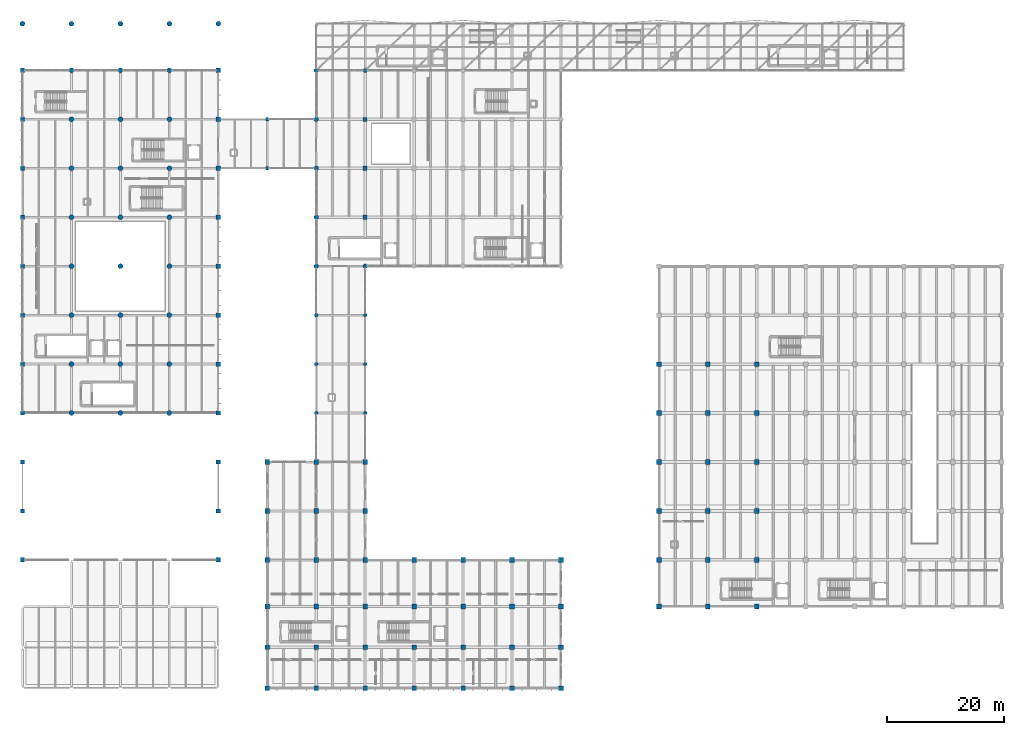
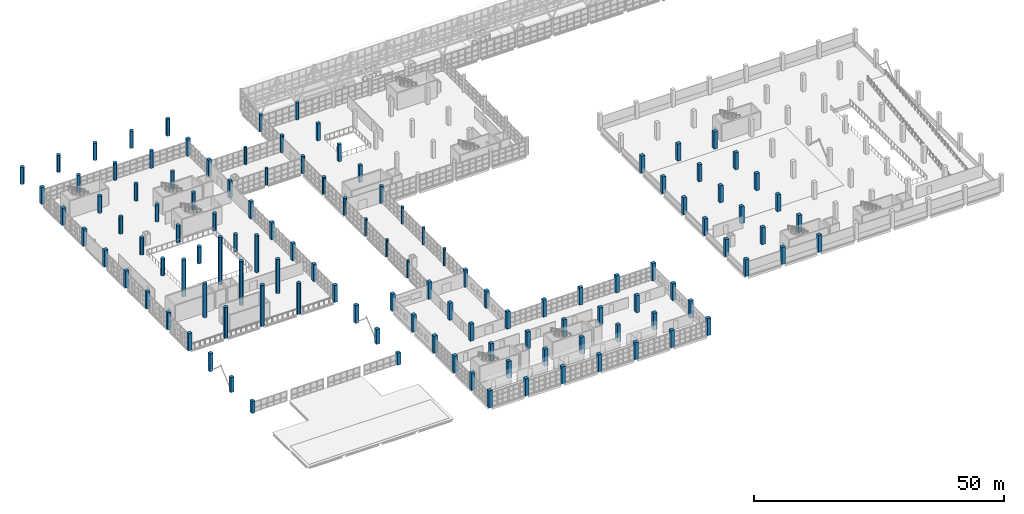
# One storey, part 1 of 177: 121 columns.
"""IFC4 building model written with IfcOpenShell, lengths in metres."""

from ifc_helpers import new_model, si_unit, direction, frame, origin, origin_2d, place, context, subcontext, project, spatial, rectangle, circle, extrude, material, material_profile, profile_set, type_object, element, save


model = new_model("IFC4")

# Units and contexts
model_context = context("Model", 3, precision=1e-05, world=origin(), true_north=direction((0.0, 1.0)))
body_context = subcontext(model_context, "Body", "Model", "MODEL_VIEW")
ifc_project = project(units=[si_unit("LENGTHUNIT", "METRE"), si_unit("AREAUNIT", "SQUARE_METRE"), si_unit("VOLUMEUNIT", "CUBIC_METRE"), si_unit("PLANEANGLEUNIT", "RADIAN"), si_unit("MASSUNIT", "GRAM", prefix="KILO"), si_unit("THERMODYNAMICTEMPERATUREUNIT", "KELVIN"), si_unit("POWERUNIT", "WATT")], contexts=[model_context])

# Site, building, storey
site_placement = place(None, origin())
site = spatial("IfcSite", under=ifc_project, at=site_placement, CompositionType="ELEMENT")
building_placement = place(site_placement, origin())
building = spatial("IfcBuilding", under=site, at=building_placement, Name="Mavoryth Pier Ferry Terminal", CompositionType="ELEMENT")
storey_placement = place(building_placement, frame((0.0, 0.0, 5.43994140625)))
storey = spatial("IfcBuildingStorey", under=building, at=storey_placement, Name="L01", CompositionType="ELEMENT", Elevation=5.43994140625)

# Columns
ifc_material = material(Name="Concrete C40/50", Category="concrete")
ifc_material_profile_1 = material_profile(ifc_material, circle(Radius=0.324951171875, at=origin_2d()), Name="RC D650", Category="concrete")
ifc_profile_set_1 = profile_set([ifc_material_profile_1], Name="Concrete C40/50 - RC D650")
column_type_1 = type_object("IfcColumnType", Name="Col-Pilotis-D650", PredefinedType="COLUMN", material=ifc_profile_set_1)
for number, where, z_axis, x_axis, name in (
    (1, (42.0, 89.199951171875, 0.0), (0.0, 0.0, 1.0), (1.0, 0.0, 0.0), "Column C01-CC01-018"),
    (2, (42.0, 97.60009765625, 0.0), (0.0, 0.0, 1.0), (1.0, 0.0, 0.0), "Column C01-CC01-020"),
    (3, (50.39990234375, 47.199951171875, 0.0), (0.0, 0.0, 1.0), (1.0, 0.0, 0.0), "Column C01-CC01-022"),
    (4, (50.39990234375, 55.60009765625, 0.0), (0.0, 0.0, 1.0), (1.0, 0.0, 0.0), "Column C01-CC01-024"),
    (5, (50.39990234375, 64.0, 0.0), (0.0, 0.0, 1.0), (1.0, 0.0, 0.0), "Column C01-CC01-026"),
    (6, (58.800048828125, 47.199951171875, 0.0), (0.0, 0.0, 1.0), (1.0, 0.0, 0.0), "Column C01-CC01-028"),
    (7, (58.800048828125, 55.60009765625, 0.0), (0.0, 0.0, 1.0), (1.0, 0.0, 0.0), "Column C01-CC01-030"),
    (8, (58.800048828125, 64.0, 0.0), (0.0, 0.0, 1.0), (1.0, 0.0, 0.0), "Column C01-CC01-032"),
):
    element("IfcColumn", number, at=place(storey_placement, frame(where, z_axis=z_axis, x_axis=x_axis)), inside=storey, type_object=column_type_1, Name=name, PredefinedType="COLUMN", context=body_context, shape_type="SweptSolid", body=[
        extrude(circle(Radius=0.324951171875, at=origin_2d()), origin(), (0.0, 0.0, 1.0), 4.16015625),
    ])
ifc_material_profile_2 = material_profile(ifc_material, circle(Radius=0.389892578125, at=origin_2d()), Name="RC D780", Category="concrete")
ifc_profile_set_2 = profile_set([ifc_material_profile_2], Name="Concrete C40/50 - RC D780")
column_type_2 = type_object("IfcColumnType", Name="Col-Pilotis-D780", PredefinedType="COLUMN", material=ifc_profile_set_2)
for number, where, z_axis, x_axis, name in (
    (9, (50.39990234375, 72.39990234375, 0.0), (0.0, 0.0, 1.0), (1.0, 0.0, 0.0), "Column C01-CC03-210"),
    (10, (50.39990234375, 80.800048828125, 0.0), (0.0, 0.0, 1.0), (1.0, 0.0, 0.0), "Column C01-CC03-211"),
    (11, (50.39990234375, 89.199951171875, 0.0), (0.0, 0.0, 1.0), (1.0, 0.0, 0.0), "Column C01-CC03-212"),
    (12, (50.39990234375, 97.60009765625, 0.0), (0.0, 0.0, 1.0), (1.0, 0.0, 0.0), "Column C01-CC03-213"),
    (13, (50.39990234375, 106.0, 0.0), (0.0, 0.0, 1.0), (1.0, 0.0, 0.0), "Column C01-CC03-214"),
    (14, (58.800048828125, 72.39990234375, 0.0), (0.0, 0.0, 1.0), (1.0, 0.0, 0.0), "Column C01-CC03-215"),
    (15, (58.800048828125, 106.0, 0.0), (0.0, 0.0, 1.0), (1.0, 0.0, 0.0), "Column C01-CC03-219"),
):
    element("IfcColumn", number, at=place(storey_placement, frame(where, z_axis=z_axis, x_axis=x_axis)), inside=storey, type_object=column_type_2, Name=name, PredefinedType="COLUMN", context=body_context, shape_type="SweptSolid", body=[
        extrude(circle(Radius=0.389892578125, at=origin_2d()), origin(), (0.0, 0.0, 1.0), 4.16015625),
    ])
ifc_material_profile_3 = material_profile(ifc_material, circle(Radius=0.425048828125, at=origin_2d()), Name="RC D850", Category="concrete")
ifc_profile_set_3 = profile_set([ifc_material_profile_3], Name="Concrete C40/50 - RC D850")
column_type_3 = type_object("IfcColumnType", Name="Col-Pilotis-D850", PredefinedType="COLUMN", material=ifc_profile_set_3)
column_1_placement = place(storey_placement, frame((0.0, 114.0, 0.0), z_axis=(0.0, 0.0, 1.0), x_axis=(1.0, 0.0, 0.0)))
element("IfcColumn", 16, at=column_1_placement, inside=storey, type_object=column_type_3, Name="Column C01-CC04-104", PredefinedType="COLUMN", context=body_context, shape_type="SweptSolid", body=[
    extrude(circle(Radius=0.425048828125, at=origin_2d()), origin(), (0.0, 0.0, 1.0), 4.16015625),
])
column_2_placement = place(storey_placement, frame((8.39990234375, 47.199951171875, 0.0), z_axis=(0.0, 0.0, 1.0), x_axis=(1.0, 0.0, 0.0)))
element("IfcColumn", 17, at=column_2_placement, inside=storey, type_object=column_type_3, Name="Column C01-CC04-105", PredefinedType="COLUMN", context=body_context, shape_type="SweptSolid", body=[
    extrude(circle(Radius=0.425048828125, at=origin_2d()), origin(), (0.0, 0.0, 1.0), 7.581787109375),
])
column_3_placement = place(storey_placement, frame((8.39990234375, 55.60009765625, 0.0), z_axis=(0.0, 0.0, 1.0), x_axis=(1.0, 0.0, 0.0)))
element("IfcColumn", 18, at=column_3_placement, inside=storey, type_object=column_type_3, Name="Column C01-CC04-106", PredefinedType="COLUMN", context=body_context, shape_type="SweptSolid", body=[
    extrude(circle(Radius=0.425048828125, at=origin_2d()), origin(), (0.0, 0.0, 1.0), 8.296142578125),
])
column_4_placement = place(storey_placement, frame((8.39990234375, 64.0, 0.0), z_axis=(0.0, 0.0, 1.0), x_axis=(1.0, 0.0, 0.0)))
element("IfcColumn", 19, at=column_4_placement, inside=storey, type_object=column_type_3, Name="Column C01-CC04-107", PredefinedType="COLUMN", context=body_context, shape_type="SweptSolid", body=[
    extrude(circle(Radius=0.425048828125, at=origin_2d()), origin(), (0.0, 0.0, 1.0), 9.010498046875),
])
for number, where, z_axis, x_axis, name in (
    (20, (8.39990234375, 72.39990234375, 0.0), (0.0, 0.0, 1.0), (1.0, 0.0, 0.0), "Column C01-CC04-108"),
    (21, (8.39990234375, 80.800048828125, 0.0), (0.0, 0.0, 1.0), (1.0, 0.0, 0.0), "Column C01-CC04-109"),
    (22, (8.39990234375, 89.199951171875, 0.0), (0.0, 0.0, 1.0), (1.0, 0.0, 0.0), "Column C01-CC04-110"),
    (23, (8.39990234375, 97.60009765625, 0.0), (0.0, 0.0, 1.0), (1.0, 0.0, 0.0), "Column C01-CC04-111"),
    (24, (8.39990234375, 106.0, 0.0), (0.0, 0.0, 1.0), (1.0, 0.0, 0.0), "Column C01-CC04-112"),
    (25, (8.39990234375, 114.0, 0.0), (0.0, 0.0, 1.0), (1.0, 0.0, 0.0), "Column C01-CC04-113"),
):
    element("IfcColumn", number, at=place(storey_placement, frame(where, z_axis=z_axis, x_axis=x_axis)), inside=storey, type_object=column_type_3, Name=name, PredefinedType="COLUMN", context=body_context, shape_type="SweptSolid", body=[
        extrude(circle(Radius=0.425048828125, at=origin_2d()), origin(), (0.0, 0.0, 1.0), 4.16015625),
    ])
column_5_placement = place(storey_placement, frame((16.800048828125, 47.199951171875, 0.0), z_axis=(0.0, 0.0, 1.0), x_axis=(1.0, 0.0, 0.0)))
element("IfcColumn", 26, at=column_5_placement, inside=storey, type_object=column_type_3, Name="Column C01-CC04-114", PredefinedType="COLUMN", context=body_context, shape_type="SweptSolid", body=[
    extrude(circle(Radius=0.425048828125, at=origin_2d()), origin(), (0.0, 0.0, 1.0), 10.06005859375),
])
column_6_placement = place(storey_placement, frame((16.800048828125, 55.60009765625, 0.0), z_axis=(0.0, 0.0, 1.0), x_axis=(1.0, 0.0, 0.0)))
element("IfcColumn", 27, at=column_6_placement, inside=storey, type_object=column_type_3, Name="Column C01-CC04-115", PredefinedType="COLUMN", context=body_context, shape_type="SweptSolid", body=[
    extrude(circle(Radius=0.425048828125, at=origin_2d()), origin(), (0.0, 0.0, 1.0), 10.7744140625),
])
column_7_placement = place(storey_placement, frame((16.800048828125, 64.0, 0.0), z_axis=(0.0, 0.0, 1.0), x_axis=(1.0, 0.0, 0.0)))
element("IfcColumn", 28, at=column_7_placement, inside=storey, type_object=column_type_3, Name="Column C01-CC04-116", PredefinedType="COLUMN", context=body_context, shape_type="SweptSolid", body=[
    extrude(circle(Radius=0.425048828125, at=origin_2d()), origin(), (0.0, 0.0, 1.0), 11.48876953125),
])
for number, where, z_axis, x_axis, name in (
    (29, (16.800048828125, 72.39990234375, 0.0), (0.0, 0.0, 1.0), (1.0, 0.0, 0.0), "Column C01-CC04-117"),
    (30, (16.800048828125, 80.800048828125, 0.0), (0.0, 0.0, 1.0), (1.0, 0.0, 0.0), "Column C01-CC04-118"),
    (31, (16.800048828125, 89.199951171875, 0.0), (0.0, 0.0, 1.0), (1.0, 0.0, 0.0), "Column C01-CC04-119"),
    (32, (16.800048828125, 97.60009765625, 0.0), (0.0, 0.0, 1.0), (1.0, 0.0, 0.0), "Column C01-CC04-120"),
    (33, (16.800048828125, 106.0, 0.0), (0.0, 0.0, 1.0), (1.0, 0.0, 0.0), "Column C01-CC04-121"),
    (34, (16.800048828125, 114.0, 0.0), (0.0, 0.0, 1.0), (1.0, 0.0, 0.0), "Column C01-CC04-122"),
):
    element("IfcColumn", number, at=place(storey_placement, frame(where, z_axis=z_axis, x_axis=x_axis)), inside=storey, type_object=column_type_3, Name=name, PredefinedType="COLUMN", context=body_context, shape_type="SweptSolid", body=[
        extrude(circle(Radius=0.425048828125, at=origin_2d()), origin(), (0.0, 0.0, 1.0), 4.16015625),
    ])
column_8_placement = place(storey_placement, frame((25.199951171875, 47.199951171875, 0.0), z_axis=(0.0, 0.0, 1.0), x_axis=(1.0, 0.0, 0.0)))
element("IfcColumn", 35, at=column_8_placement, inside=storey, type_object=column_type_3, Name="Column C01-CC04-123", PredefinedType="COLUMN", context=body_context, shape_type="SweptSolid", body=[
    extrude(circle(Radius=0.425048828125, at=origin_2d()), origin(), (0.0, 0.0, 1.0), 7.581787109375),
])
column_9_placement = place(storey_placement, frame((25.199951171875, 55.60009765625, 0.0), z_axis=(0.0, 0.0, 1.0), x_axis=(1.0, 0.0, 0.0)))
element("IfcColumn", 36, at=column_9_placement, inside=storey, type_object=column_type_3, Name="Column C01-CC04-124", PredefinedType="COLUMN", context=body_context, shape_type="SweptSolid", body=[
    extrude(circle(Radius=0.425048828125, at=origin_2d()), origin(), (0.0, 0.0, 1.0), 8.296142578125),
])
column_10_placement = place(storey_placement, frame((25.199951171875, 64.0, 0.0), z_axis=(0.0, 0.0, 1.0), x_axis=(1.0, 0.0, 0.0)))
element("IfcColumn", 37, at=column_10_placement, inside=storey, type_object=column_type_3, Name="Column C01-CC04-125", PredefinedType="COLUMN", context=body_context, shape_type="SweptSolid", body=[
    extrude(circle(Radius=0.425048828125, at=origin_2d()), origin(), (0.0, 0.0, 1.0), 9.010498046875),
])
for number, where, z_axis, x_axis, name in (
    (38, (25.199951171875, 72.39990234375, 0.0), (0.0, 0.0, 1.0), (1.0, 0.0, 0.0), "Column C01-CC04-126"),
    (39, (25.199951171875, 80.800048828125, 0.0), (0.0, 0.0, 1.0), (1.0, 0.0, 0.0), "Column C01-CC04-127"),
    (40, (25.199951171875, 89.199951171875, 0.0), (0.0, 0.0, 1.0), (1.0, 0.0, 0.0), "Column C01-CC04-128"),
    (41, (25.199951171875, 97.60009765625, 0.0), (0.0, 0.0, 1.0), (1.0, 0.0, 0.0), "Column C01-CC04-129"),
    (42, (25.199951171875, 106.0, 0.0), (0.0, 0.0, 1.0), (1.0, 0.0, 0.0), "Column C01-CC04-130"),
    (43, (25.199951171875, 114.0, 0.0), (0.0, 0.0, 1.0), (1.0, 0.0, 0.0), "Column C01-CC04-131"),
    (44, (33.60009765625, 114.0, 0.0), (0.0, 0.0, 1.0), (1.0, 0.0, 0.0), "Column C01-CC04-143"),
):
    element("IfcColumn", number, at=place(storey_placement, frame(where, z_axis=z_axis, x_axis=x_axis)), inside=storey, type_object=column_type_3, Name=name, PredefinedType="COLUMN", context=body_context, shape_type="SweptSolid", body=[
        extrude(circle(Radius=0.425048828125, at=origin_2d()), origin(), (0.0, 0.0, 1.0), 4.16015625),
    ])
ifc_material_profile_4 = material_profile(ifc_material, rectangle(XDim=0.699951171875, YDim=0.699951171875, at=origin_2d()), Name="RC 700x700", Category="concrete")
ifc_profile_set_4 = profile_set([ifc_material_profile_4], Name="Concrete C40/50 - RC 700x700")
column_type_4 = type_object("IfcColumnType", Name="Col-RC-700x700", PredefinedType="COLUMN", material=ifc_profile_set_4)
for number, where, z_axis, x_axis, name in (
    (45, (58.800048828125, 80.800048828125, 0.0), (0.0, 0.0, 1.0), (1.0, 0.0, 0.0), "Column C01-CC09-216"),
    (46, (58.800048828125, 89.199951171875, 0.0), (0.0, 0.0, 1.0), (1.0, 0.0, 0.0), "Column C01-CC09-217"),
    (47, (58.800048828125, 97.60009765625, 0.0), (0.0, 0.0, 1.0), (1.0, 0.0, 0.0), "Column C01-CC09-218"),
):
    element("IfcColumn", number, at=place(storey_placement, frame(where, z_axis=z_axis, x_axis=x_axis)), inside=storey, type_object=column_type_4, Name=name, PredefinedType="COLUMN", context=body_context, shape_type="SweptSolid", body=[
        extrude(rectangle(XDim=0.699951171875, YDim=0.699951171875, at=origin_2d()), origin(), (0.0, 0.0, 1.0), 4.16015625),
    ])
ifc_material_profile_5 = material_profile(ifc_material, rectangle(XDim=0.75, YDim=0.75, at=origin_2d()), Name="RC 750x750", Category="concrete")
ifc_profile_set_5 = profile_set([ifc_material_profile_5], Name="Concrete C40/50 - RC 750x750")
column_type_5 = type_object("IfcColumnType", Name="Col-RC-750x750", PredefinedType="COLUMN", material=ifc_profile_set_5)
column_11_placement = place(storey_placement, frame((0.0, 22.0, 0.0), z_axis=(0.0, 0.0, 1.0), x_axis=(1.0, 0.0, 0.0)))
element("IfcColumn", 48, at=column_11_placement, inside=storey, type_object=column_type_5, Name="Column C01-CC10-093", PredefinedType="COLUMN", context=body_context, shape_type="SweptSolid", body=[
    extrude(rectangle(XDim=0.75, YDim=0.75, at=origin_2d()), origin(), (0.0, 0.0, 1.0), 2.940673828125),
])
column_12_placement = place(storey_placement, frame((0.0, 30.39990234375, 0.0), z_axis=(0.0, 0.0, 1.0), x_axis=(1.0, 0.0, 0.0)))
element("IfcColumn", 49, at=column_12_placement, inside=storey, type_object=column_type_5, Name="Column C01-CC10-094", PredefinedType="COLUMN", context=body_context, shape_type="SweptSolid", body=[
    extrude(rectangle(XDim=0.75, YDim=0.75, at=origin_2d()), origin(), (0.0, 0.0, 1.0), 3.655029296875),
])
column_13_placement = place(storey_placement, frame((0.0, 38.800048828125, 0.0), z_axis=(0.0, 0.0, 1.0), x_axis=(1.0, 0.0, 0.0)))
element("IfcColumn", 50, at=column_13_placement, inside=storey, type_object=column_type_5, Name="Column C01-CC10-095", PredefinedType="COLUMN", context=body_context, shape_type="SweptSolid", body=[
    extrude(rectangle(XDim=0.75, YDim=0.75, at=origin_2d()), origin(), (0.0, 0.0, 1.0), 4.369140625),
])
for number, where, z_axis, x_axis, name in (
    (51, (0.0, 47.199951171875, 0.0), (0.0, 0.0, 1.0), (1.0, 0.0, 0.0), "Column C01-CC10-096"),
    (52, (0.0, 55.60009765625, 0.0), (0.0, 0.0, 1.0), (1.0, 0.0, 0.0), "Column C01-CC10-097"),
    (53, (0.0, 64.0, 0.0), (0.0, 0.0, 1.0), (1.0, 0.0, 0.0), "Column C01-CC10-098"),
    (54, (0.0, 72.39990234375, 0.0), (0.0, 0.0, 1.0), (1.0, 0.0, 0.0), "Column C01-CC10-099"),
    (55, (0.0, 80.800048828125, 0.0), (0.0, 0.0, 1.0), (1.0, 0.0, 0.0), "Column C01-CC10-100"),
    (56, (0.0, 89.199951171875, 0.0), (0.0, 0.0, 1.0), (1.0, 0.0, 0.0), "Column C01-CC10-101"),
    (57, (0.0, 97.60009765625, 0.0), (0.0, 0.0, 1.0), (1.0, 0.0, 0.0), "Column C01-CC10-102"),
    (58, (0.0, 106.0, 0.0), (0.0, 0.0, 1.0), (1.0, 0.0, 0.0), "Column C01-CC10-103"),
):
    element("IfcColumn", number, at=place(storey_placement, frame(where, z_axis=z_axis, x_axis=x_axis)), inside=storey, type_object=column_type_5, Name=name, PredefinedType="COLUMN", context=body_context, shape_type="SweptSolid", body=[
        extrude(rectangle(XDim=0.75, YDim=0.75, at=origin_2d()), origin(), (0.0, 0.0, 1.0), 4.16015625),
    ])
column_14_placement = place(storey_placement, frame((33.60009765625, 22.0, 0.0), z_axis=(0.0, 0.0, 1.0), x_axis=(1.0, 0.0, 0.0)))
element("IfcColumn", 59, at=column_14_placement, inside=storey, type_object=column_type_5, Name="Column C01-CC10-132", PredefinedType="COLUMN", context=body_context, shape_type="SweptSolid", body=[
    extrude(rectangle(XDim=0.75, YDim=0.75, at=origin_2d()), origin(), (0.0, 0.0, 1.0), 2.940673828125),
])
column_15_placement = place(storey_placement, frame((33.60009765625, 30.39990234375, 0.0), z_axis=(0.0, 0.0, 1.0), x_axis=(1.0, 0.0, 0.0)))
element("IfcColumn", 60, at=column_15_placement, inside=storey, type_object=column_type_5, Name="Column C01-CC10-133", PredefinedType="COLUMN", context=body_context, shape_type="SweptSolid", body=[
    extrude(rectangle(XDim=0.75, YDim=0.75, at=origin_2d()), origin(), (0.0, 0.0, 1.0), 3.655029296875),
])
column_16_placement = place(storey_placement, frame((33.60009765625, 38.800048828125, 0.0), z_axis=(0.0, 0.0, 1.0), x_axis=(1.0, 0.0, 0.0)))
element("IfcColumn", 61, at=column_16_placement, inside=storey, type_object=column_type_5, Name="Column C01-CC10-134", PredefinedType="COLUMN", context=body_context, shape_type="SweptSolid", body=[
    extrude(rectangle(XDim=0.75, YDim=0.75, at=origin_2d()), origin(), (0.0, 0.0, 1.0), 4.369140625),
])
for number, where, z_axis, x_axis, name in (
    (62, (33.60009765625, 47.199951171875, 0.0), (0.0, 0.0, 1.0), (1.0, 0.0, 0.0), "Column C01-CC10-135"),
    (63, (33.60009765625, 55.60009765625, 0.0), (0.0, 0.0, 1.0), (1.0, 0.0, 0.0), "Column C01-CC10-136"),
    (64, (33.60009765625, 64.0, 0.0), (0.0, 0.0, 1.0), (1.0, 0.0, 0.0), "Column C01-CC10-137"),
    (65, (33.60009765625, 72.39990234375, 0.0), (0.0, 0.0, 1.0), (1.0, 0.0, 0.0), "Column C01-CC10-138"),
    (66, (33.60009765625, 80.800048828125, 0.0), (0.0, 0.0, 1.0), (1.0, 0.0, 0.0), "Column C01-CC10-139"),
    (67, (33.60009765625, 89.199951171875, 0.0), (0.0, 0.0, 1.0), (1.0, 0.0, 0.0), "Column C01-CC10-140"),
    (68, (33.60009765625, 97.60009765625, 0.0), (0.0, 0.0, 1.0), (1.0, 0.0, 0.0), "Column C01-CC10-141"),
    (69, (33.60009765625, 106.0, 0.0), (0.0, 0.0, 1.0), (1.0, 0.0, 0.0), "Column C01-CC10-142"),
):
    element("IfcColumn", number, at=place(storey_placement, frame(where, z_axis=z_axis, x_axis=x_axis)), inside=storey, type_object=column_type_5, Name=name, PredefinedType="COLUMN", context=body_context, shape_type="SweptSolid", body=[
        extrude(rectangle(XDim=0.75, YDim=0.75, at=origin_2d()), origin(), (0.0, 0.0, 1.0), 4.16015625),
    ])
ifc_material_profile_6 = material_profile(ifc_material, rectangle(XDim=0.800048828125, YDim=0.800048828125, at=origin_2d()), Name="RC 800x800", Category="concrete")
ifc_profile_set_6 = profile_set([ifc_material_profile_6], Name="Concrete C40/50 - RC 800x800")
column_type_6 = type_object("IfcColumnType", Name="Col-RC-800x800", PredefinedType="COLUMN", material=ifc_profile_set_6)
for number, where, z_axis, x_axis, name in (
    (70, (109.199951171875, 14.0, 0.0), (0.0, 0.0, 1.0), (1.0, 0.0, 0.0), "Column C01-CC11-363"),
    (71, (109.199951171875, 22.0, 0.0), (0.0, 0.0, 1.0), (1.0, 0.0, 0.0), "Column C01-CC11-364"),
    (72, (109.199951171875, 30.39990234375, 0.0), (0.0, 0.0, 1.0), (1.0, 0.0, 0.0), "Column C01-CC11-365"),
    (73, (109.199951171875, 38.800048828125, 0.0), (0.0, 0.0, 1.0), (1.0, 0.0, 0.0), "Column C01-CC11-366"),
    (74, (109.199951171875, 47.199951171875, 0.0), (0.0, 0.0, 1.0), (1.0, 0.0, 0.0), "Column C01-CC11-367"),
    (75, (109.199951171875, 55.60009765625, 0.0), (0.0, 0.0, 1.0), (1.0, 0.0, 0.0), "Column C01-CC11-368"),
    (76, (117.60009765625, 14.0, 0.0), (0.0, 0.0, 1.0), (1.0, 0.0, 0.0), "Column C01-CC11-371"),
    (77, (117.60009765625, 22.0, 0.0), (0.0, 0.0, 1.0), (1.0, 0.0, 0.0), "Column C01-CC11-372"),
    (78, (117.60009765625, 30.39990234375, 0.0), (0.0, 0.0, 1.0), (1.0, 0.0, 0.0), "Column C01-CC11-373"),
    (79, (117.60009765625, 38.800048828125, 0.0), (0.0, 0.0, 1.0), (1.0, 0.0, 0.0), "Column C01-CC11-374"),
    (80, (117.60009765625, 47.199951171875, 0.0), (0.0, 0.0, 1.0), (1.0, 0.0, 0.0), "Column C01-CC11-375"),
    (81, (117.60009765625, 55.60009765625, 0.0), (0.0, 0.0, 1.0), (1.0, 0.0, 0.0), "Column C01-CC11-376"),
    (82, (126.0, 14.0, 0.0), (0.0, 0.0, 1.0), (1.0, 0.0, 0.0), "Column C01-CC11-379"),
    (83, (126.0, 22.0, 0.0), (0.0, 0.0, 1.0), (1.0, 0.0, 0.0), "Column C01-CC11-380"),
    (84, (126.0, 30.39990234375, 0.0), (0.0, 0.0, 1.0), (1.0, 0.0, 0.0), "Column C01-CC11-381"),
    (85, (126.0, 38.800048828125, 0.0), (0.0, 0.0, 1.0), (1.0, 0.0, 0.0), "Column C01-CC11-382"),
    (86, (126.0, 47.199951171875, 0.0), (0.0, 0.0, 1.0), (1.0, 0.0, 0.0), "Column C01-CC11-383"),
    (87, (126.0, 55.60009765625, 0.0), (0.0, 0.0, 1.0), (1.0, 0.0, 0.0), "Column C01-CC11-384"),
    (88, (42.0, 0.0, 0.0), (0.0, 0.0, 1.0), (1.0, 0.0, 0.0), "Column C01-CC11-559"),
    (89, (42.0, 7.0, 0.0), (0.0, 0.0, 1.0), (1.0, 0.0, 0.0), "Column C01-CC11-560"),
    (90, (42.0, 14.0, 0.0), (0.0, 0.0, 1.0), (1.0, 0.0, 0.0), "Column C01-CC11-561"),
    (91, (42.0, 22.0, 0.0), (0.0, 0.0, 1.0), (1.0, 0.0, 0.0), "Column C01-CC11-562"),
    (92, (50.39990234375, 0.0, 0.0), (0.0, 0.0, 1.0), (1.0, 0.0, 0.0), "Column C01-CC11-563"),
    (93, (50.39990234375, 7.0, 0.0), (0.0, 0.0, 1.0), (1.0, 0.0, 0.0), "Column C01-CC11-564"),
    (94, (50.39990234375, 14.0, 0.0), (0.0, 0.0, 1.0), (1.0, 0.0, 0.0), "Column C01-CC11-565"),
    (95, (50.39990234375, 22.0, 0.0), (0.0, 0.0, 1.0), (1.0, 0.0, 0.0), "Column C01-CC11-566"),
    (96, (58.800048828125, 0.0, 0.0), (0.0, 0.0, 1.0), (1.0, 0.0, 0.0), "Column C01-CC11-567"),
    (97, (58.800048828125, 7.0, 0.0), (0.0, 0.0, 1.0), (1.0, 0.0, 0.0), "Column C01-CC11-568"),
    (98, (58.800048828125, 14.0, 0.0), (0.0, 0.0, 1.0), (1.0, 0.0, 0.0), "Column C01-CC11-569"),
    (99, (58.800048828125, 22.0, 0.0), (0.0, 0.0, 1.0), (1.0, 0.0, 0.0), "Column C01-CC11-570"),
    (100, (67.199951171875, 0.0, 0.0), (0.0, 0.0, 1.0), (1.0, 0.0, 0.0), "Column C01-CC11-571"),
    (101, (67.199951171875, 7.0, 0.0), (0.0, 0.0, 1.0), (1.0, 0.0, 0.0), "Column C01-CC11-572"),
    (102, (67.199951171875, 14.0, 0.0), (0.0, 0.0, 1.0), (1.0, 0.0, 0.0), "Column C01-CC11-573"),
    (103, (67.199951171875, 22.0, 0.0), (0.0, 0.0, 1.0), (1.0, 0.0, 0.0), "Column C01-CC11-574"),
    (104, (75.60009765625, 0.0, 0.0), (0.0, 0.0, 1.0), (1.0, 0.0, 0.0), "Column C01-CC11-575"),
    (105, (75.60009765625, 7.0, 0.0), (0.0, 0.0, 1.0), (1.0, 0.0, 0.0), "Column C01-CC11-576"),
    (106, (75.60009765625, 14.0, 0.0), (0.0, 0.0, 1.0), (1.0, 0.0, 0.0), "Column C01-CC11-577"),
    (107, (75.60009765625, 22.0, 0.0), (0.0, 0.0, 1.0), (1.0, 0.0, 0.0), "Column C01-CC11-578"),
    (108, (84.0, 0.0, 0.0), (0.0, 0.0, 1.0), (1.0, 0.0, 0.0), "Column C01-CC11-579"),
    (109, (84.0, 7.0, 0.0), (0.0, 0.0, 1.0), (1.0, 0.0, 0.0), "Column C01-CC11-580"),
    (110, (84.0, 14.0, 0.0), (0.0, 0.0, 1.0), (1.0, 0.0, 0.0), "Column C01-CC11-581"),
    (111, (84.0, 22.0, 0.0), (0.0, 0.0, 1.0), (1.0, 0.0, 0.0), "Column C01-CC11-582"),
    (112, (92.39990234375, 0.0, 0.0), (0.0, 0.0, 1.0), (1.0, 0.0, 0.0), "Column C01-CC11-583"),
    (113, (92.39990234375, 7.0, 0.0), (0.0, 0.0, 1.0), (1.0, 0.0, 0.0), "Column C01-CC11-584"),
    (114, (92.39990234375, 14.0, 0.0), (0.0, 0.0, 1.0), (1.0, 0.0, 0.0), "Column C01-CC11-585"),
    (115, (92.39990234375, 22.0, 0.0), (0.0, 0.0, 1.0), (1.0, 0.0, 0.0), "Column C01-CC11-586"),
    (116, (42.0, 30.39990234375, 0.0), (0.0, 0.0, 1.0), (1.0, 0.0, 0.0), "Column C01-CC11-587"),
    (117, (42.0, 38.800048828125, 0.0), (0.0, 0.0, 1.0), (1.0, 0.0, 0.0), "Column C01-CC11-588"),
    (118, (50.39990234375, 30.39990234375, 0.0), (0.0, 0.0, 1.0), (1.0, 0.0, 0.0), "Column C01-CC11-589"),
    (119, (50.39990234375, 38.800048828125, 0.0), (0.0, 0.0, 1.0), (1.0, 0.0, 0.0), "Column C01-CC11-590"),
    (120, (58.800048828125, 30.39990234375, 0.0), (0.0, 0.0, 1.0), (1.0, 0.0, 0.0), "Column C01-CC11-591"),
    (121, (58.800048828125, 38.800048828125, 0.0), (0.0, 0.0, 1.0), (1.0, 0.0, 0.0), "Column C01-CC11-592"),
):
    element("IfcColumn", number, at=place(storey_placement, frame(where, z_axis=z_axis, x_axis=x_axis)), inside=storey, type_object=column_type_6, Name=name, PredefinedType="COLUMN", context=body_context, shape_type="SweptSolid", body=[
        extrude(rectangle(XDim=0.800048828125, YDim=0.800048828125, at=origin_2d()), origin(), (0.0, 0.0, 1.0), 4.16015625),
    ])

save(model, "model.ifc")
